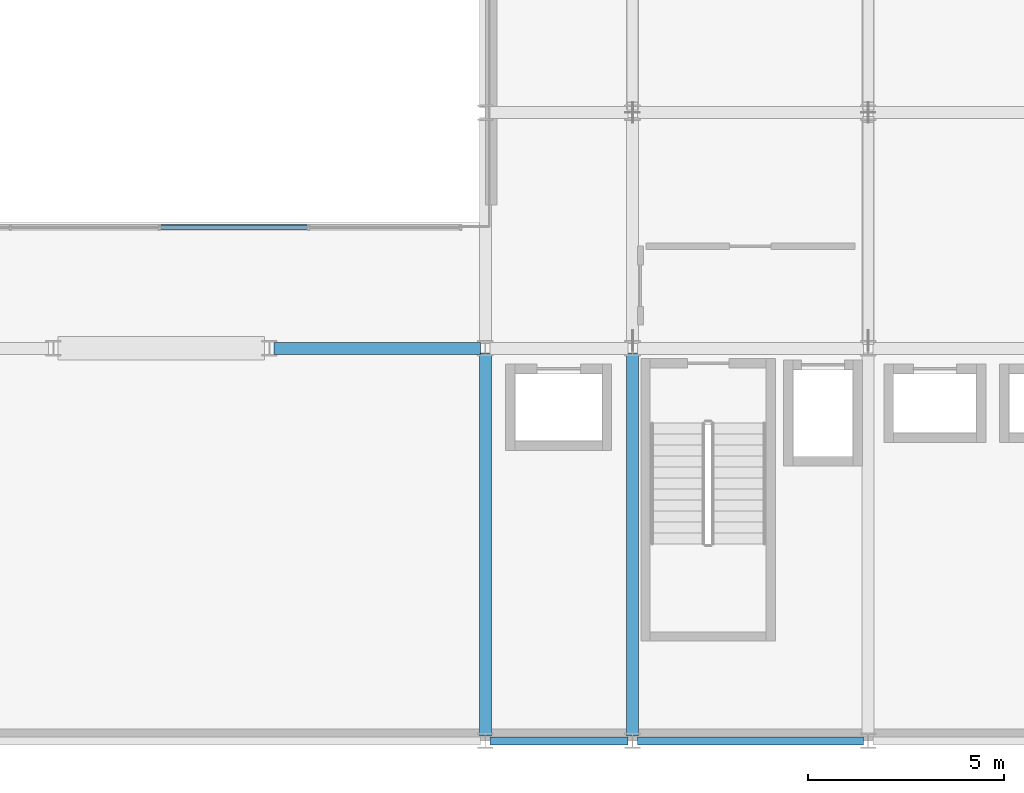
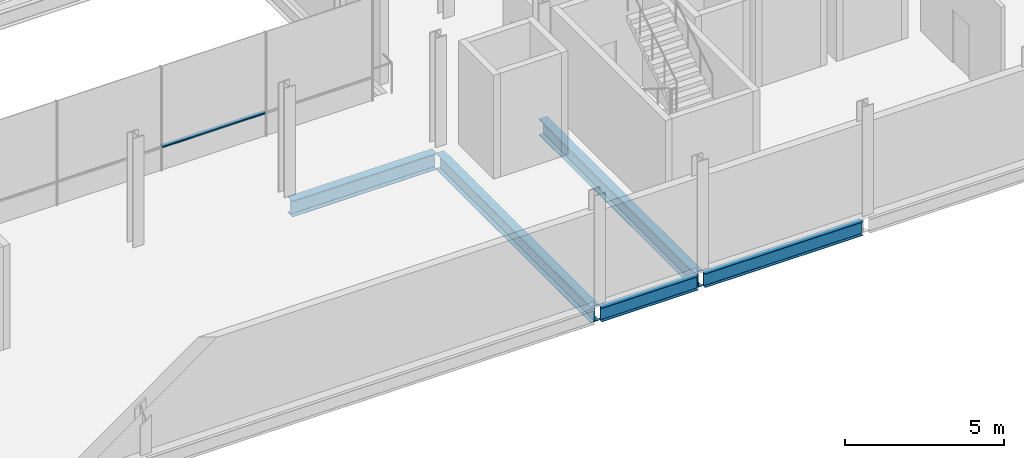
# One storey, part 14 of 33: 5 beams, 1 member, 1 element without a shape of its own.
"""IFC4 building model written with IfcOpenShell, lengths in metres."""

from ifc_helpers import new_model, si_unit, direction, frame, origin, origin_2d, place, context, subcontext, project, spatial, hollow_rectangle, i_section, extrude, material, layer, layer_set, material_profile, profile_set, type_object, element, aggregate, save


model = new_model("IFC4")

# Units and contexts
model_context = context("Model", 3, precision=1e-05, world=origin(), true_north=direction((0.0, 1.0)))
body_context = subcontext(model_context, "Body", "Model", "MODEL_VIEW")
ifc_project = project(units=[si_unit("LENGTHUNIT", "METRE"), si_unit("AREAUNIT", "SQUARE_METRE"), si_unit("VOLUMEUNIT", "CUBIC_METRE"), si_unit("PLANEANGLEUNIT", "RADIAN"), si_unit("MASSUNIT", "GRAM", prefix="KILO")], contexts=[model_context])

# Site, building, storey
site_placement = place(None, origin())
site = spatial("IfcSite", under=ifc_project, at=site_placement, CompositionType="ELEMENT")
building_placement = place(site_placement, origin())
building = spatial("IfcBuilding", under=site, at=building_placement, Name="Brevholm Reach", CompositionType="ELEMENT")
storey_placement = place(building_placement, frame((0.0, 0.0, 179.0)))
storey = spatial("IfcBuildingStorey", under=building, at=storey_placement, Name="L54", CompositionType="ELEMENT", Elevation=179.0)

# Beams
ifc_material_1 = material(Name="Structural Steel S355J2", Category="steel")
ifc_material_profile_1 = material_profile(ifc_material_1, i_section(OverallWidth=0.210693359375, OverallDepth=0.53955078125, WebThickness=0.01171875, FlangeThickness=0.018798828125, FilletRadius=0.0126953125, at=origin_2d()), Name="UKB 533x210x109")
ifc_profile_set_1 = profile_set([ifc_material_profile_1], Name="Structural Steel S355J2")
beam_type_1 = type_object("IfcBeamType", Name="BM-SP539", PredefinedType="SPANDREL", material=ifc_profile_set_1)
beam_1_placement = place(storey_placement, frame((38.3701171875, 0.0, -0.52978515625), z_axis=(1.0, 0.0, 0.0), x_axis=(0.0, 1.0, 0.0)))
element("IfcBeam", 1, at=beam_1_placement, inside=storey, type_object=beam_type_1, Name="L54 SP-01B Framing Beam", PredefinedType="SPANDREL", context=body_context, shape_type="SweptSolid", body=[
    extrude(i_section(OverallWidth=0.210693359375, OverallDepth=0.53955078125, WebThickness=0.01171875, FlangeThickness=0.018798828125, FilletRadius=0.0126953125, at=origin_2d()), origin(), (0.0, 0.0, 1.0), 3.509765625),
])
beam_2_placement = place(storey_placement, frame((42.1201171875, 0.0, -0.52978515625), z_axis=(1.0, 0.0, 0.0), x_axis=(0.0, 1.0, 0.0)))
element("IfcBeam", 2, at=beam_2_placement, inside=storey, type_object=beam_type_1, Name="L54 SP-01B Framing Beam", PredefinedType="SPANDREL", context=body_context, shape_type="SweptSolid", body=[
    extrude(i_section(OverallWidth=0.210693359375, OverallDepth=0.53955078125, WebThickness=0.01171875, FlangeThickness=0.018798828125, FilletRadius=0.0126953125, at=origin_2d()), origin(), (0.0, 0.0, 1.0), 5.759765625),
])
ifc_material_2 = material(Name="Structural Steel S355J2", Category="steel")
ifc_material_profile_2 = material_profile(ifc_material_2, i_section(OverallWidth=0.30712890625, OverallDepth=0.6201171875, WebThickness=0.01416015625, FlangeThickness=0.023681640625, FilletRadius=0.0166015625, at=origin_2d()), Name="UKB 610x305x179")
ifc_profile_set_2 = profile_set([ifc_material_profile_2], Name="Structural Steel S355J2")
beam_type_2 = type_object("IfcBeamType", Name="BM-UKB610H", PredefinedType="USERDEFINED", material=ifc_profile_set_2)
beam_3_placement = place(storey_placement, frame((32.8701171875, 10.0, -0.570068359375), z_axis=(1.0, 0.0, 0.0), x_axis=(0.0, 1.0, 0.0)))
element("IfcBeam", 3, at=beam_3_placement, inside=storey, type_object=beam_type_2, Name="L54 G-06 Framing Beam", ObjectType="GIRDER", PredefinedType="USERDEFINED", context=body_context, shape_type="SweptSolid", body=[
    extrude(i_section(OverallWidth=0.30712890625, OverallDepth=0.6201171875, WebThickness=0.01416015625, FlangeThickness=0.023681640625, FilletRadius=0.0166015625, at=origin_2d()), origin(), (0.0, 0.0, 1.0), 5.259765625),
])
for number, where, z_axis, x_axis, name in (
    (4, (38.25, 0.1201171875, -0.570068359375), (0.0, 1.0, 0.0), (-1.0, 0.0, 0.0), "L54 G-06 Framing Beam"),
    (5, (42.0, 0.1201171875, -0.570068359375), (0.0, 1.0, 0.0), (-1.0, 0.0, 0.0), "L54 G-06 Framing Beam"),
):
    element("IfcBeam", number, at=place(storey_placement, frame(where, z_axis=z_axis, x_axis=x_axis)), inside=storey, type_object=beam_type_2, Name=name, ObjectType="GIRDER", PredefinedType="USERDEFINED", context=body_context, shape_type="SweptSolid", body=[
        extrude(i_section(OverallWidth=0.30712890625, OverallDepth=0.6201171875, WebThickness=0.01416015625, FlangeThickness=0.023681640625, FilletRadius=0.0166015625, at=origin_2d()), origin(), (0.0, 0.0, 1.0), 9.759765625),
    ])

# Curtain wall, member
ifc_material_3 = material(Name="Dark Anodised Aluminium 6063-T6 and Solar-Control Glass", Category="aluminium")
ifc_layer = layer(ifc_material_3, 0.139892578125)
ifc_layer_set = layer_set([ifc_layer], Name="Dark Anodised Aluminium 6063-T6 and Solar-Control Glass")
curtain_wall_type = type_object("IfcCurtainWallType", Name="CW-02", PredefinedType="NOTDEFINED", material=ifc_layer_set)
curtain_wall_placement = place(storey_placement, origin())
curtain_wall = element("IfcCurtainWall", 6, at=curtain_wall_placement, inside=storey, type_object=curtain_wall_type, Name="L54 Curtain Wall CW-02", PredefinedType="NOTDEFINED")
ifc_material_4 = material(Name="Dark Anodised Aluminium 6063-T6", Category="aluminium")
ifc_material_profile_3 = material_profile(ifc_material_4, hollow_rectangle(XDim=0.06005859375, YDim=0.139892578125, WallThickness=0.0048828125, InnerFilletRadius=0.0048828125, OuterFilletRadius=0.010009765625, at=origin_2d()), Name="RHS 140x60x5")
ifc_profile_set_3 = profile_set([ifc_material_profile_3], Name="Dark Anodised Aluminium 6063-T6")
member_type = type_object("IfcMemberType", Name="CWT-140", PredefinedType="NOTDEFINED", material=ifc_profile_set_3)
member_placement = place(storey_placement, frame((29.97998046875, 13.080078125, 0.89990234375), z_axis=(1.0, 0.0, 0.0), x_axis=(0.0, 0.0, 1.0)))
member = element("IfcMember", 7, at=member_placement, type_object=member_type, Name="CT-140 Transom 3.1", ObjectType="TRANSOM", PredefinedType="USERDEFINED", context=body_context, shape_type="SweptSolid", body=[
    extrude(hollow_rectangle(XDim=0.06005859375, YDim=0.139892578125, WallThickness=0.0048828125, InnerFilletRadius=0.0048828125, OuterFilletRadius=0.010009765625, at=origin_2d()), origin(), (0.0, 0.0, 1.0), 3.739990234375),
])
aggregate(curtain_wall, [member])

save(model, "model.ifc")
